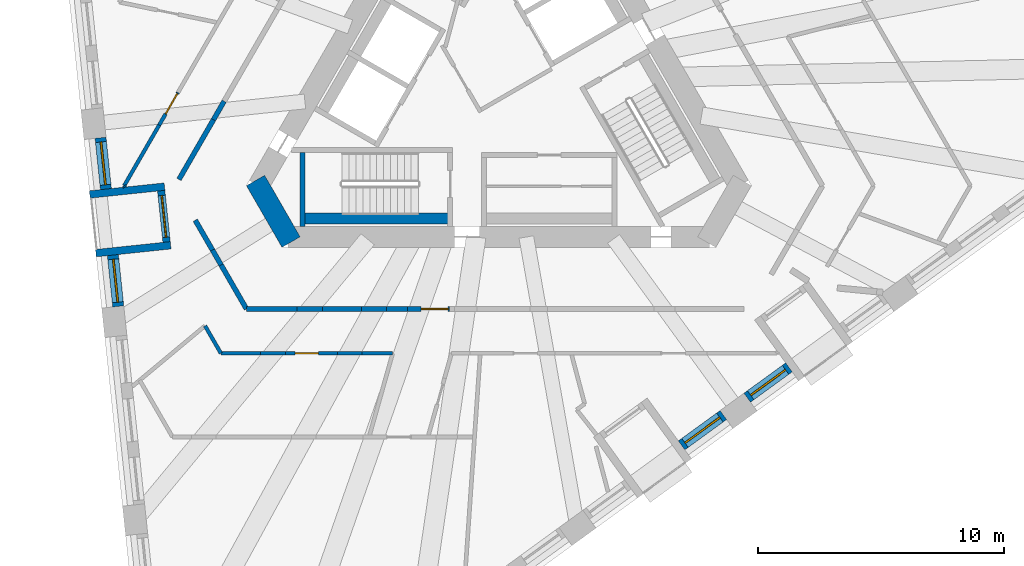
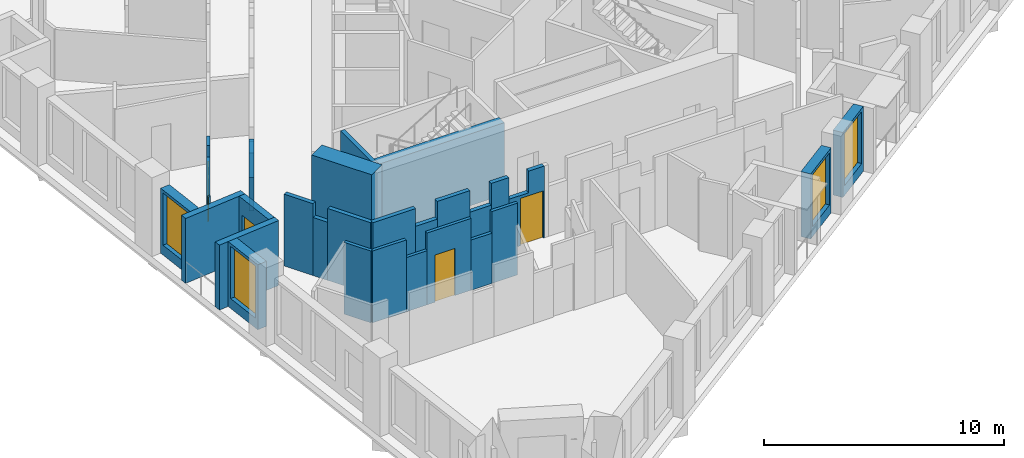
# One storey, part 3 of 14: 30 walls, 4 doors, 4 windows, 8 openings.
"""IFC4 building model written with IfcOpenShell, lengths in metres."""

from ifc_helpers import new_model, si_unit, direction, frame, frame_2d, origin, place, context, subcontext, project, spatial, polyline, rectangle, outline, extrude, material, layer, layer_set, type_object, element, fill, save


model = new_model("IFC4")

# Units and contexts
model_context = context("Model", 3, precision=1e-05, world=origin(), true_north=direction((0.0, 1.0)))
body_context = subcontext(model_context, "Body", "Model", "MODEL_VIEW")
ifc_project = project(units=[si_unit("LENGTHUNIT", "METRE"), si_unit("AREAUNIT", "SQUARE_METRE"), si_unit("VOLUMEUNIT", "CUBIC_METRE"), si_unit("PLANEANGLEUNIT", "RADIAN"), si_unit("MASSUNIT", "GRAM", prefix="KILO")], contexts=[model_context])

# Site, building, storey
site_placement = place(None, origin())
site = spatial("IfcSite", under=ifc_project, at=site_placement, CompositionType="ELEMENT")
building_placement = place(site_placement, origin())
building = spatial("IfcBuilding", under=site, at=building_placement, Name="Tramontana Tower", CompositionType="ELEMENT")
storey_placement = place(building_placement, frame((0.0, 0.0, 186.800048828125)))
storey = spatial("IfcBuildingStorey", under=building, at=storey_placement, Name="L43", CompositionType="ELEMENT", Elevation=186.800048828125)

# Wall
ifc_material_1 = material(Name="Concrete 70 MPa", Category="concrete")
ifc_layer_1 = layer(ifc_material_1, 0.85009765625)
ifc_layer_set_1 = layer_set([ifc_layer_1], Name="Core wall 850 70 MPa")
wall_type_1 = type_object("IfcWallType", Name="Core wall 850 70 MPa", PredefinedType="SHEAR", material=ifc_layer_set_1)
wall_1_placement = place(storey_placement, frame((-9.8798828125, -4.03759765625, 0.0), z_axis=(0.0, 0.0, 1.0), x_axis=(0.499995765644, -0.866027848477, 0.0)))
element("IfcWall", 1, at=wall_1_placement, inside=storey, type_object=wall_type_1, Name="Core wall C2 L43", PredefinedType="SHEAR", context=body_context, shape_type="SweptSolid", body=[
    extrude(rectangle(XDim=2.88671875, YDim=0.85009765625, at=frame_2d((1.443359375, 0.0))), origin(), (0.0, 0.0, 1.0), 4.0),
])

# Wall, opening, door
ifc_material_2 = material(Name="Blockwork", Category="masonry")
ifc_layer_2 = layer(ifc_material_2, 0.199951171875)
ifc_layer_set_2 = layer_set([ifc_layer_2], Name="ENTRY WALL 200")
wall_type_2 = type_object("IfcWallType", Name="ENTRY WALL 200", PredefinedType="SOLIDWALL", material=ifc_layer_set_2)
wall_2_placement = place(storey_placement, frame((-3.713134765625, -9.25, 0.0), z_axis=(0.0, 0.0, 1.0), x_axis=(1.0, 0.0, 0.0)))
wall_2 = element("IfcWall", 2, at=wall_2_placement, inside=storey, type_object=wall_type_2, Name="Wall v42-ew2-7", PredefinedType="SOLIDWALL", context=body_context, shape_type="SweptSolid", body=[
    extrude(outline(polyline([(0.0, 0.0), (1.7041015625, 0.0), (1.7041015625, 3.64990234375), (0.95361328125, 3.64990234375), (0.95361328125, 2.550048828125), (0.0, 2.550048828125), (0.0, 0.0)])), frame((0.0, 0.10009765625, 0.0), z_axis=(0.0, -1.0, 0.0), x_axis=(1.0, 0.0, 0.0)), (0.0, 0.0, 1.0), 0.199951171875),
])
opening_1_placement = place(wall_2_placement, frame((0.55419921875, 0.0, 0.0)))
opening_1 = element("IfcOpeningElement", 3, at=opening_1_placement, cuts=wall_2, Name="Opening B4C-20", PredefinedType="OPENING", context=body_context, shape_type="SweptSolid", body=[
    extrude(rectangle(XDim=1.10009765625, YDim=2.39990234375, at=frame_2d((0.550048828125, 1.199951171875))), frame((0.0, 0.10986328125, 0.0), z_axis=(0.0, -1.0, 0.0), x_axis=(1.0, 0.0, 0.0)), (0.0, 0.0, 1.0), 0.219970703125),
])
ifc_material_3 = material(Name="Painted timber", Category="wood")
door_type_1 = type_object("IfcDoorType", Name="DOOR ENTRY 1100", OperationType="SINGLE_SWING_LEFT", PredefinedType="DOOR", material=ifc_material_3)
door_1_placement = place(opening_1_placement, origin())
door_1 = element("IfcDoor", 4, at=door_1_placement, inside=storey, type_object=door_type_1, Name="Door B4C-20", OperationType="SINGLE_SWING_RIGHT", OverallHeight=2.39990234375, OverallWidth=1.10009765625, PredefinedType="DOOR", context=body_context, shape_type="SweptSolid", body=[
    extrude(rectangle(XDim=1.10009765625, YDim=2.39990234375, at=frame_2d((0.550048828125, 1.199951171875))), frame((0.0, 0.02490234375, 0.0), z_axis=(0.0, -1.0, 0.0), x_axis=(1.0, 0.0, 0.0)), (0.0, 0.0, 1.0), 0.050048828125),
])
fill(opening_1, door_1)

# Walls
wall_3_placement = place(storey_placement, frame((-3.713134765625, -9.25, 0.0), z_axis=(0.0, 0.0, 1.0), x_axis=(-1.0, 0.0, 0.0)))
element("IfcWall", 5, at=wall_3_placement, inside=storey, type_object=wall_type_2, Name="Wall v42-ew2-8", PredefinedType="SOLIDWALL", context=body_context, shape_type="SweptSolid", body=[
    extrude(rectangle(XDim=0.84130859375, YDim=0.199951171875, at=frame_2d((0.420654296875, 0.0))), origin(), (0.0, 0.0, 1.0), 3.64990234375),
])
wall_4_placement = place(storey_placement, frame((-4.554443359375, -9.25, 0.0), z_axis=(0.0, 0.0, 1.0), x_axis=(-1.0, 0.0, 0.0)))
element("IfcWall", 6, at=wall_4_placement, inside=storey, type_object=wall_type_2, Name="Wall v42-ew2-9", PredefinedType="SOLIDWALL", context=body_context, shape_type="SweptSolid", body=[
    extrude(rectangle(XDim=1.026123046875, YDim=0.199951171875, at=frame_2d((0.51318359375, 0.0))), origin(), (0.0, 0.0, 1.0), 2.550048828125),
])
wall_5_placement = place(storey_placement, frame((-5.58056640625, -9.25, 0.0), z_axis=(0.0, 0.0, 1.0), x_axis=(-1.0, 0.0, 0.0)))
element("IfcWall", 7, at=wall_5_placement, inside=storey, type_object=wall_type_2, Name="Wall v42-ew2-10", PredefinedType="SOLIDWALL", context=body_context, shape_type="SweptSolid", body=[
    extrude(rectangle(XDim=1.57177734375, YDim=0.199951171875, at=frame_2d((0.785888671875, 0.0))), origin(), (0.0, 0.0, 1.0), 3.64990234375),
])
wall_6_placement = place(storey_placement, frame((-7.15234375, -9.25, 0.0), z_axis=(0.0, 0.0, 1.0), x_axis=(-1.0, 0.0, 0.0)))
element("IfcWall", 8, at=wall_6_placement, inside=storey, type_object=wall_type_2, Name="Wall v42-ew2-11", PredefinedType="SOLIDWALL", context=body_context, shape_type="SweptSolid", body=[
    extrude(rectangle(XDim=1.039306640625, YDim=0.199951171875, at=frame_2d((0.51953125, 0.0))), origin(), (0.0, 0.0, 1.0), 2.75),
])
wall_7_placement = place(storey_placement, frame((-8.191650390625, -9.25, 0.0), z_axis=(0.0, 0.0, 1.0), x_axis=(-1.0, 0.0, 0.0)))
element("IfcWall", 9, at=wall_7_placement, inside=storey, type_object=wall_type_2, Name="Wall v42-ew2-12", PredefinedType="SOLIDWALL", context=body_context, shape_type="SweptSolid", body=[
    extrude(rectangle(XDim=2.056396484375, YDim=0.199951171875, at=frame_2d((1.0283203125, 0.0))), origin(), (0.0, 0.0, 1.0), 3.64990234375),
])
wall_8_placement = place(storey_placement, frame((-10.248046875, -9.25, 0.0), z_axis=(0.0, 0.0, 1.0), x_axis=(-0.499941542975, 0.866059151333, 0.0)))
element("IfcWall", 10, at=wall_8_placement, inside=storey, type_object=wall_type_2, Name="Wall v42-ew3-0", PredefinedType="SOLIDWALL", context=body_context, shape_type="SweptSolid", body=[
    extrude(rectangle(XDim=2.057861328125, YDim=0.199951171875, at=frame_2d((1.02880859375, 0.0))), origin(), (0.0, 0.0, 1.0), 3.64990234375),
])
wall_9_placement = place(storey_placement, frame((-11.27685546875, -7.4677734375, 0.0), z_axis=(0.0, 0.0, 1.0), x_axis=(-0.50022532796, 0.865895271535, 0.0)))
element("IfcWall", 11, at=wall_9_placement, inside=storey, type_object=wall_type_2, Name="Wall v42-ew3-1", PredefinedType="SOLIDWALL", context=body_context, shape_type="SweptSolid", body=[
    extrude(rectangle(XDim=0.700439453125, YDim=0.199951171875, at=frame_2d((0.35009765625, 0.0))), origin(), (0.0, 0.0, 1.0), 2.949951171875),
])
wall_10_placement = place(storey_placement, frame((-11.627197265625, -6.861328125, 0.0), z_axis=(0.0, 0.0, 1.0), x_axis=(-0.49998411664, 0.866034573852, 0.0)))
element("IfcWall", 12, at=wall_10_placement, inside=storey, type_object=wall_type_2, Name="Wall v42-ew3-2", PredefinedType="SOLIDWALL", context=body_context, shape_type="SweptSolid", body=[
    extrude(rectangle(XDim=1.39990234375, YDim=0.199951171875, at=frame_2d((0.699951171875, 0.0))), origin(), (0.0, 0.0, 1.0), 3.64990234375),
])
wall_11_placement = place(storey_placement, frame((-12.986572265625, -3.993408203125, 0.0), z_axis=(0.0, 0.0, 1.0), x_axis=(0.499976698542, 0.86603885647, 0.0)))
element("IfcWall", 13, at=wall_11_placement, inside=storey, type_object=wall_type_2, Name="Wall v42-ew4-0", PredefinedType="SOLIDWALL", context=body_context, shape_type="SweptSolid", body=[
    extrude(rectangle(XDim=2.798583984375, YDim=0.199951171875, at=frame_2d((1.3994140625, 0.0))), origin(), (0.0, 0.0, 1.0), 3.64990234375),
])
wall_12_placement = place(storey_placement, frame((-11.58740234375, -1.56982421875, 0.0), z_axis=(0.0, 0.0, 1.0), x_axis=(0.500023708017, 0.866011715522, 0.0)))
element("IfcWall", 14, at=wall_12_placement, inside=storey, type_object=wall_type_2, Name="Wall v42-ew4-1", PredefinedType="SOLIDWALL", context=body_context, shape_type="SweptSolid", body=[
    extrude(rectangle(XDim=0.865234375, YDim=0.199951171875, at=frame_2d((0.4326171875, 0.0))), origin(), (0.0, 0.0, 1.0), 2.949951171875),
])

# Wall, opening, window
ifc_material_4 = material(Name="Precast concrete 60 MPa", Category="concrete")
ifc_layer_3 = layer(ifc_material_4, 0.449951171875)
ifc_layer_set_3 = layer_set([ifc_layer_3], Name="Precast concrete 60 MPa, 450 mm")
wall_type_3 = type_object("IfcWallType", Name="EW1 Stone-faced precast wall 450", PredefinedType="SOLIDWALL", material=ifc_layer_set_3)
wall_13_placement = place(storey_placement, frame((-16.1728515625, -2.30322265625, 0.0), z_axis=(0.0, 0.0, 1.0), x_axis=(0.104569484464, -0.994517583011, 0.0)))
wall_13 = element("IfcWall", 15, at=wall_13_placement, inside=storey, type_object=wall_type_3, Name="External wall L43 face 0 bay 4", PredefinedType="SOLIDWALL", context=body_context, shape_type="SweptSolid", body=[
    extrude(rectangle(XDim=2.09423828125, YDim=0.449951171875, at=frame_2d((1.047119140625, 0.0))), origin(), (0.0, 0.0, 1.0), 3.300048828125),
])
opening_2_placement = place(wall_13_placement, frame((0.172119140625, 0.0, 0.5)))
opening_2 = element("IfcOpeningElement", 16, at=opening_2_placement, cuts=wall_13, Name="Opening M2", PredefinedType="OPENING", context=body_context, shape_type="SweptSolid", body=[
    extrude(rectangle(XDim=1.75, YDim=2.64990234375, at=frame_2d((0.875, 1.324951171875))), frame((0.0, 0.23486328125, 0.0), z_axis=(0.0, -1.0, 0.0), x_axis=(1.0, 0.0, 0.0)), (0.0, 0.0, 1.0), 0.469970703125),
])
ifc_material_5 = material(Name="Aluminum frame, double glazing unit", Category="aluminium")
window_type = type_object("IfcWindowType", Name="M2 Window 1.75 x 2.65", PartitioningType="SINGLE_PANEL", PredefinedType="WINDOW", material=ifc_material_5)
window_1_placement = place(opening_2_placement, origin())
window_1 = element("IfcWindow", 17, at=window_1_placement, inside=storey, type_object=window_type, Name="Window M2 L43 face 0 module 10", OverallHeight=2.64990234375, OverallWidth=1.75, PartitioningType="SINGLE_PANEL", PredefinedType="WINDOW", context=body_context, shape_type="SweptSolid", body=[
    extrude(rectangle(XDim=1.75, YDim=2.64990234375, at=frame_2d((0.875, 1.324951171875))), frame((0.0, 0.030029296875, 0.0), z_axis=(0.0, -1.0, 0.0), x_axis=(1.0, 0.0, 0.0)), (0.0, 0.0, 1.0), 0.06005859375),
])
fill(opening_2, window_1)

wall_14_placement = place(storey_placement, frame((-15.67236328125, -7.0654296875, 0.0), z_axis=(0.0, 0.0, 1.0), x_axis=(0.104557362307, -0.994518857532, 0.0)))
wall_14 = element("IfcWall", 18, at=wall_14_placement, inside=storey, type_object=wall_type_3, Name="External wall L43 face 0 bay 4", PredefinedType="SOLIDWALL", context=body_context, shape_type="SweptSolid", body=[
    extrude(rectangle(XDim=2.094482421875, YDim=0.449951171875, at=frame_2d((1.04736328125, 0.0))), origin(), (0.0, 0.0, 1.0), 3.300048828125),
])
opening_3_placement = place(wall_14_placement, frame((0.172119140625, 0.0, 0.5)))
opening_3 = element("IfcOpeningElement", 19, at=opening_3_placement, cuts=wall_14, Name="Opening M2", PredefinedType="OPENING", context=body_context, shape_type="SweptSolid", body=[
    extrude(rectangle(XDim=1.75, YDim=2.64990234375, at=frame_2d((0.875, 1.324951171875))), frame((0.0, 0.23486328125, 0.0), z_axis=(0.0, -1.0, 0.0), x_axis=(1.0, 0.0, 0.0)), (0.0, 0.0, 1.0), 0.469970703125),
])
window_2_placement = place(opening_3_placement, origin())
window_2 = element("IfcWindow", 20, at=window_2_placement, inside=storey, type_object=window_type, Name="Window M2 L43 face 0 module 12", OverallHeight=2.64990234375, OverallWidth=1.75, PartitioningType="SINGLE_PANEL", PredefinedType="WINDOW", context=body_context, shape_type="SweptSolid", body=[
    extrude(rectangle(XDim=1.75, YDim=2.64990234375, at=frame_2d((0.875, 1.324951171875))), frame((0.0, 0.030029296875, 0.0), z_axis=(0.0, -1.0, 0.0), x_axis=(1.0, 0.0, 0.0)), (0.0, 0.0, 1.0), 0.06005859375),
])
fill(opening_3, window_2)

wall_15_placement = place(storey_placement, frame((7.415771484375, -14.790771484375, 0.0), z_axis=(0.0, 0.0, 1.0), x_axis=(0.809028366311, 0.587769599847, 0.0)))
wall_15 = element("IfcWall", 21, at=wall_15_placement, inside=storey, type_object=wall_type_3, Name="External wall L43 face 1 bay 3", PredefinedType="SOLIDWALL", context=body_context, shape_type="SweptSolid", body=[
    extrude(rectangle(XDim=2.09423828125, YDim=0.449951171875, at=frame_2d((1.047119140625, 0.0))), origin(), (0.0, 0.0, 1.0), 3.300048828125),
])
opening_4_placement = place(wall_15_placement, frame((0.172119140625, 0.0, 0.5)))
opening_4 = element("IfcOpeningElement", 22, at=opening_4_placement, cuts=wall_15, Name="Opening M2", PredefinedType="OPENING", context=body_context, shape_type="SweptSolid", body=[
    extrude(rectangle(XDim=1.75, YDim=2.64990234375, at=frame_2d((0.875, 1.324951171875))), frame((0.0, 0.23486328125, 0.0), z_axis=(0.0, -1.0, 0.0), x_axis=(1.0, 0.0, 0.0)), (0.0, 0.0, 1.0), 0.469970703125),
])
window_3_placement = place(opening_4_placement, origin())
window_3 = element("IfcWindow", 23, at=window_3_placement, inside=storey, type_object=window_type, Name="Window M2 L43 face 1 module 9", OverallHeight=2.64990234375, OverallWidth=1.75, PartitioningType="SINGLE_PANEL", PredefinedType="WINDOW", context=body_context, shape_type="SweptSolid", body=[
    extrude(rectangle(XDim=1.75, YDim=2.64990234375, at=frame_2d((0.875, 1.324951171875))), frame((0.0, 0.030029296875, 0.0), z_axis=(0.0, -1.0, 0.0), x_axis=(1.0, 0.0, 0.0)), (0.0, 0.0, 1.0), 0.06005859375),
])
fill(opening_4, window_3)

wall_16_placement = place(storey_placement, frame((10.0810546875, -12.8544921875, 0.0), z_axis=(0.0, 0.0, 1.0), x_axis=(0.809028366311, 0.587769599847, 0.0)))
wall_16 = element("IfcWall", 24, at=wall_16_placement, inside=storey, type_object=wall_type_3, Name="External wall L43 face 1 bay 4", PredefinedType="SOLIDWALL", context=body_context, shape_type="SweptSolid", body=[
    extrude(rectangle(XDim=2.09423828125, YDim=0.449951171875, at=frame_2d((1.047119140625, 0.0))), origin(), (0.0, 0.0, 1.0), 3.300048828125),
])
opening_5_placement = place(wall_16_placement, frame((0.172119140625, 0.0, 0.5)))
opening_5 = element("IfcOpeningElement", 25, at=opening_5_placement, cuts=wall_16, Name="Opening M2", PredefinedType="OPENING", context=body_context, shape_type="SweptSolid", body=[
    extrude(rectangle(XDim=1.75, YDim=2.64990234375, at=frame_2d((0.875, 1.324951171875))), frame((0.0, 0.23486328125, 0.0), z_axis=(0.0, -1.0, 0.0), x_axis=(1.0, 0.0, 0.0)), (0.0, 0.0, 1.0), 0.469970703125),
])
window_4_placement = place(opening_5_placement, origin())
window_4 = element("IfcWindow", 26, at=window_4_placement, inside=storey, type_object=window_type, Name="Window M2 L43 face 1 module 10", OverallHeight=2.64990234375, OverallWidth=1.75, PartitioningType="SINGLE_PANEL", PredefinedType="WINDOW", context=body_context, shape_type="SweptSolid", body=[
    extrude(rectangle(XDim=1.75, YDim=2.64990234375, at=frame_2d((0.875, 1.324951171875))), frame((0.0, 0.030029296875, 0.0), z_axis=(0.0, -1.0, 0.0), x_axis=(1.0, 0.0, 0.0)), (0.0, 0.0, 1.0), 0.06005859375),
])
fill(opening_5, window_4)

# Wall, opening, door
ifc_material_6 = material(Name="Precast concrete 60 MPa", Category="concrete")
ifc_layer_4 = layer(ifc_material_6, 0.300048828125)
ifc_layer_set_4 = layer_set([ifc_layer_4], Name="LW1 Stone-faced loggia wall 300")
wall_type_4 = type_object("IfcWallType", Name="LW1 Stone-faced loggia wall 300", PredefinedType="SOLIDWALL", material=ifc_layer_set_4)
wall_17_placement = place(storey_placement, frame((-13.709716796875, -4.45166015625, 0.0), z_axis=(0.0, 0.0, 1.0), x_axis=(0.104442071108, -0.994530971756, 0.0)))
wall_17 = element("IfcWall", 27, at=wall_17_placement, inside=storey, type_object=wall_type_4, Name="Loggia wall L43 G4S0.10", PredefinedType="SOLIDWALL", context=body_context, shape_type="SweptSolid", body=[
    extrude(rectangle(XDim=2.094482421875, YDim=0.300048828125, at=frame_2d((1.04736328125, 0.0))), origin(), (0.0, 0.0, 1.0), 3.300048828125),
])
opening_6_placement = place(wall_17_placement, frame((0.197265625, 0.0, 0.0)))
opening_6 = element("IfcOpeningElement", 28, at=opening_6_placement, cuts=wall_17, Name="Opening BD-4S0-10", PredefinedType="OPENING", context=body_context, shape_type="SweptSolid", body=[
    extrude(rectangle(XDim=1.699951171875, YDim=2.449951171875, at=frame_2d((0.85009765625, 1.22509765625))), frame((0.0, 0.159912109375, 0.0), z_axis=(0.0, -1.0, 0.0), x_axis=(1.0, 0.0, 0.0)), (0.0, 0.0, 1.0), 0.320068359375),
])
ifc_material_7 = material(Name="Aluminum frame, double glazing unit", Category="aluminium")
door_type_2 = type_object("IfcDoorType", Name="BD2 Sliding door 1.7 x 2.45", OperationType="SLIDING_TO_LEFT", PredefinedType="DOOR", material=ifc_material_7)
door_2_placement = place(opening_6_placement, origin())
door_2 = element("IfcDoor", 29, at=door_2_placement, inside=storey, type_object=door_type_2, Name="Loggia door L43 G4S0.10", OperationType="SLIDING_TO_LEFT", OverallHeight=2.449951171875, OverallWidth=1.699951171875, PredefinedType="DOOR", context=body_context, shape_type="SweptSolid", body=[
    extrude(rectangle(XDim=1.699951171875, YDim=2.449951171875, at=frame_2d((0.85009765625, 1.22509765625))), frame((0.0, 0.02490234375, 0.0), z_axis=(0.0, -1.0, 0.0), x_axis=(1.0, 0.0, 0.0)), (0.0, 0.0, 1.0), 0.050048828125),
])
fill(opening_6, door_2)

# Walls
for number, where, z_axis, x_axis, name in (
    (30, (-16.609619140625, -4.605712890625, 0.0), (0.0, 0.0, 1.0), (0.994521230707, 0.104534786906, 0.0), "Loggia return L43 G4S0.10a"),
    (31, (-16.359375, -6.98681640625, 0.0), (0.0, 0.0, 1.0), (0.994521230707, 0.104534786906, 0.0), "Loggia return L43 G4S0.10b"),
):
    element("IfcWall", number, at=place(storey_placement, frame(where, z_axis=z_axis, x_axis=x_axis)), inside=storey, type_object=wall_type_4, Name=name, PredefinedType="SOLIDWALL", context=body_context, shape_type="SweptSolid", body=[
        extrude(rectangle(XDim=3.050048828125, YDim=0.300048828125, at=frame_2d((1.52490234375, 0.0))), origin(), (0.0, 0.0, 1.0), 3.300048828125),
    ])
ifc_material_8 = material(Name="Gypsum board partition")
ifc_layer_5 = layer(ifc_material_8, 0.14990234375)
ifc_layer_set_5 = layer_set([ifc_layer_5], Name="PARTITION 150")
wall_type_5 = type_object("IfcWallType", Name="PARTITION 150", PredefinedType="PARTITIONING", material=ifc_layer_set_5)
wall_18_placement = place(storey_placement, frame((-15.213134765625, -4.25, 0.0), z_axis=(0.0, 0.0, 1.0), x_axis=(0.50001992892, 0.866013897511, 0.0)))
element("IfcWall", 32, at=wall_18_placement, inside=storey, type_object=wall_type_5, Name="Wall v42-pw02-0", PredefinedType="PARTITIONING", context=body_context, shape_type="SweptSolid", body=[
    extrude(rectangle(XDim=2.841796875, YDim=0.14990234375, at=frame_2d((1.4208984375, 0.0))), origin(), (0.0, 0.0, 1.0), 3.64990234375),
])

# Wall, opening, door
wall_19_placement = place(storey_placement, frame((-13.792236328125, -1.7890625, 0.0), z_axis=(0.0, 0.0, 1.0), x_axis=(0.499925626596, 0.866068339032, 0.0)))
wall_19 = element("IfcWall", 33, at=wall_19_placement, inside=storey, type_object=wall_type_5, Name="Wall v42-pw02-1", PredefinedType="PARTITIONING", context=body_context, shape_type="SweptSolid", body=[
    extrude(outline(polyline([(0.0, 0.0), (1.525634765625, 0.0), (1.525634765625, 3.64990234375), (0.834228515625, 3.64990234375), (0.834228515625, 2.949951171875), (0.0, 2.949951171875), (0.0, 0.0)])), frame((0.0, 0.074951171875, 0.0), z_axis=(0.0, -1.0, 0.0), x_axis=(1.0, 0.0, 0.0)), (0.0, 0.0, 1.0), 0.14990234375),
])
opening_7_placement = place(wall_19_placement, frame((0.525634765625, 0.0, 0.0)))
opening_7 = element("IfcOpeningElement", 34, at=opening_7_placement, cuts=wall_19, Name="Opening B4C-08", PredefinedType="OPENING", context=body_context, shape_type="SweptSolid", body=[
    extrude(rectangle(XDim=0.949951171875, YDim=2.39990234375, at=frame_2d((0.47509765625, 1.199951171875))), frame((0.0, 0.0849609375, 0.0), z_axis=(0.0, -1.0, 0.0), x_axis=(1.0, 0.0, 0.0)), (0.0, 0.0, 1.0), 0.169921875),
])
ifc_material_9 = material(Name="Painted timber", Category="wood")
door_type_3 = type_object("IfcDoorType", Name="DOOR ROOM 950", OperationType="SINGLE_SWING_LEFT", PredefinedType="DOOR", material=ifc_material_9)
door_3_placement = place(opening_7_placement, origin())
door_3 = element("IfcDoor", 35, at=door_3_placement, inside=storey, type_object=door_type_3, Name="Door B4C-08", OperationType="SINGLE_SWING_RIGHT", OverallHeight=2.39990234375, OverallWidth=0.949951171875, PredefinedType="DOOR", context=body_context, shape_type="SweptSolid", body=[
    extrude(rectangle(XDim=0.949951171875, YDim=2.39990234375, at=frame_2d((0.47509765625, 1.199951171875))), frame((0.0, 0.02490234375, 0.0), z_axis=(0.0, -1.0, 0.0), x_axis=(1.0, 0.0, 0.0)), (0.0, 0.0, 1.0), 0.050048828125),
])
fill(opening_7, door_3)

# Walls
wall_20_placement = place(storey_placement, frame((-15.181640625, -4.3046875, 0.0), z_axis=(0.0, 0.0, 1.0), x_axis=(-0.499052486836, 0.866571760088, 0.0)))
element("IfcWall", 36, at=wall_20_placement, inside=storey, type_object=wall_type_5, Name="Wall v42-pw03", PredefinedType="PARTITIONING", context=body_context, shape_type="SweptSolid", body=[
    extrude(rectangle(XDim=0.06298828125, YDim=0.14990234375, at=frame_2d((0.031494140625, 0.0))), origin(), (0.0, 0.0, 1.0), 3.64990234375),
])
wall_21_placement = place(storey_placement, frame((-11.287353515625, -11.0498046875, 0.0), z_axis=(0.0, 0.0, 1.0), x_axis=(-0.49996976238, 0.866042860778, 0.0)))
element("IfcWall", 37, at=wall_21_placement, inside=storey, type_object=wall_type_5, Name="Wall v42-pw10", PredefinedType="PARTITIONING", context=body_context, shape_type="SweptSolid", body=[
    extrude(rectangle(XDim=1.28173828125, YDim=0.14990234375, at=frame_2d((0.640869140625, 0.0))), origin(), (0.0, 0.0, 1.0), 3.64990234375),
])
wall_22_placement = place(storey_placement, frame((-4.3154296875, -11.050048828125, 0.0), z_axis=(0.0, 0.0, 1.0), x_axis=(-1.0, 0.0, 0.0)))
element("IfcWall", 38, at=wall_22_placement, inside=storey, type_object=wall_type_5, Name="Wall v42-pw16-0", PredefinedType="PARTITIONING", context=body_context, shape_type="SweptSolid", body=[
    extrude(rectangle(XDim=1.2392578125, YDim=0.14990234375, at=frame_2d((0.61962890625, 0.0))), origin(), (0.0, 0.0, 1.0), 3.64990234375),
])
wall_23_placement = place(storey_placement, frame((-5.5546875, -11.050048828125, 0.0), z_axis=(0.0, 0.0, 1.0), x_axis=(-1.0, 0.0, 0.0)))
element("IfcWall", 39, at=wall_23_placement, inside=storey, type_object=wall_type_5, Name="Wall v42-pw16-1", PredefinedType="PARTITIONING", context=body_context, shape_type="SweptSolid", body=[
    extrude(rectangle(XDim=0.997802734375, YDim=0.14990234375, at=frame_2d((0.4990234375, 0.0))), origin(), (0.0, 0.0, 1.0), 2.550048828125),
])

# Wall, opening, door
wall_24_placement = place(storey_placement, frame((-6.552490234375, -11.050048828125, 0.0), z_axis=(0.0, 0.0, 1.0), x_axis=(-1.0, 0.0, 0.0)))
wall_24 = element("IfcWall", 40, at=wall_24_placement, inside=storey, type_object=wall_type_5, Name="Wall v42-pw16-2", PredefinedType="PARTITIONING", context=body_context, shape_type="SweptSolid", body=[
    extrude(rectangle(XDim=2.109130859375, YDim=0.14990234375, at=frame_2d((1.0546875, 0.0))), origin(), (0.0, 0.0, 1.0), 3.64990234375),
])
opening_8_placement = place(wall_24_placement, frame((0.77392578125, 0.0, 0.0)))
opening_8 = element("IfcOpeningElement", 41, at=opening_8_placement, cuts=wall_24, Name="Opening B4C-05", PredefinedType="OPENING", context=body_context, shape_type="SweptSolid", body=[
    extrude(rectangle(XDim=0.949951171875, YDim=2.39990234375, at=frame_2d((0.47509765625, 1.199951171875))), frame((0.0, 0.0849609375, 0.0), z_axis=(0.0, -1.0, 0.0), x_axis=(1.0, 0.0, 0.0)), (0.0, 0.0, 1.0), 0.169921875),
])
door_4_placement = place(opening_8_placement, origin())
door_4 = element("IfcDoor", 42, at=door_4_placement, inside=storey, type_object=door_type_3, Name="Door B4C-05", OperationType="SINGLE_SWING_LEFT", OverallHeight=2.39990234375, OverallWidth=0.949951171875, PredefinedType="DOOR", context=body_context, shape_type="SweptSolid", body=[
    extrude(rectangle(XDim=0.949951171875, YDim=2.39990234375, at=frame_2d((0.47509765625, 1.199951171875))), frame((0.0, 0.02490234375, 0.0), z_axis=(0.0, -1.0, 0.0), x_axis=(1.0, 0.0, 0.0)), (0.0, 0.0, 1.0), 0.050048828125),
])
fill(opening_8, door_4)

# Walls
wall_25_placement = place(storey_placement, frame((-8.66162109375, -11.050048828125, 0.0), z_axis=(0.0, 0.0, 1.0), x_axis=(-1.0, 0.0, 0.0)))
element("IfcWall", 43, at=wall_25_placement, inside=storey, type_object=wall_type_5, Name="Wall v42-pw16-3", PredefinedType="PARTITIONING", context=body_context, shape_type="SweptSolid", body=[
    extrude(rectangle(XDim=1.0068359375, YDim=0.14990234375, at=frame_2d((0.50341796875, 0.0))), origin(), (0.0, 0.0, 1.0), 2.75),
])
wall_26_placement = place(storey_placement, frame((-9.66845703125, -11.050048828125, 0.0), z_axis=(0.0, 0.0, 1.0), x_axis=(-1.0, 0.0, 0.0)))
element("IfcWall", 44, at=wall_26_placement, inside=storey, type_object=wall_type_5, Name="Wall v42-pw16-4", PredefinedType="PARTITIONING", context=body_context, shape_type="SweptSolid", body=[
    extrude(rectangle(XDim=1.61865234375, YDim=0.14990234375, at=frame_2d((0.809326171875, 0.0))), origin(), (0.0, 0.0, 1.0), 3.64990234375),
])
ifc_material_10 = material(Name="Concrete 70 MPa", Category="concrete")
ifc_layer_6 = layer(ifc_material_10, 0.449951171875)
ifc_layer_set_6 = layer_set([ifc_layer_6], Name="Concrete 70 MPa, 450 mm")
wall_type_6 = type_object("IfcWallType", Name="RC SHAFT BACK WALL 450", PredefinedType="SOLIDWALL", material=ifc_layer_set_6)
wall_27_placement = place(storey_placement, frame((-8.080078125, -5.574951171875, 0.0), z_axis=(0.0, 0.0, 1.0), x_axis=(1.0, 0.0, 0.0)))
element("IfcWall", 45, at=wall_27_placement, inside=storey, type_object=wall_type_6, Name="Wall st2-back", PredefinedType="SOLIDWALL", context=body_context, shape_type="SweptSolid", body=[
    extrude(rectangle(XDim=6.2001953125, YDim=0.449951171875, at=frame_2d((3.10009765625, 0.0))), origin(), (0.0, 0.0, 1.0), 3.64990234375),
])
ifc_material_11 = material(Name="Concrete 70 MPa", Category="concrete")
ifc_layer_7 = layer(ifc_material_11, 0.199951171875)
ifc_layer_set_7 = layer_set([ifc_layer_7], Name="Concrete 70 MPa, 200 mm")
wall_type_7 = type_object("IfcWallType", Name="RC STAIR AND SHAFT WALL 200", PredefinedType="SOLIDWALL", material=ifc_layer_set_7)
wall_28_placement = place(storey_placement, frame((-7.97998046875, -2.89990234375, 0.0), z_axis=(0.0, 0.0, 1.0), x_axis=(0.0, -1.0, 0.0)))
element("IfcWall", 46, at=wall_28_placement, inside=storey, type_object=wall_type_7, Name="Wall st2-far", PredefinedType="SOLIDWALL", context=body_context, shape_type="SweptSolid", body=[
    extrude(rectangle(XDim=3.0, YDim=0.199951171875, at=frame_2d((1.5, 0.0))), origin(), (0.0, 0.0, 1.0), 3.64990234375),
])

save(model, "model.ifc")
